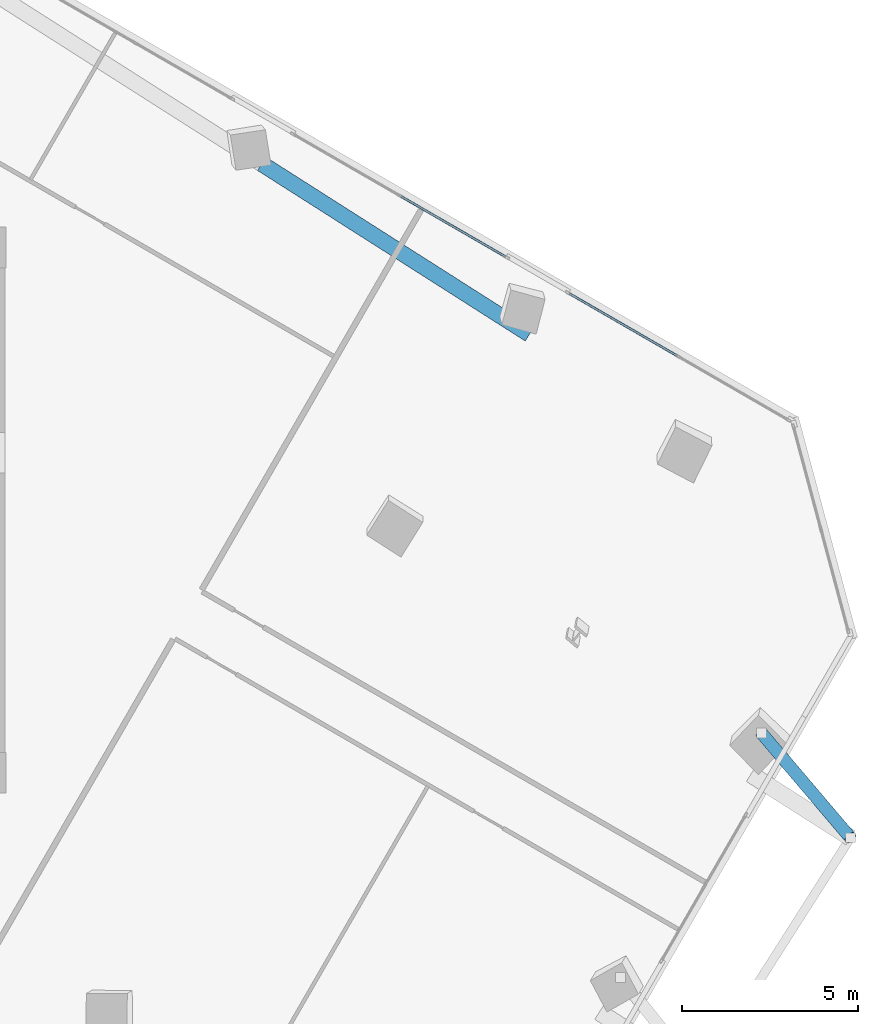
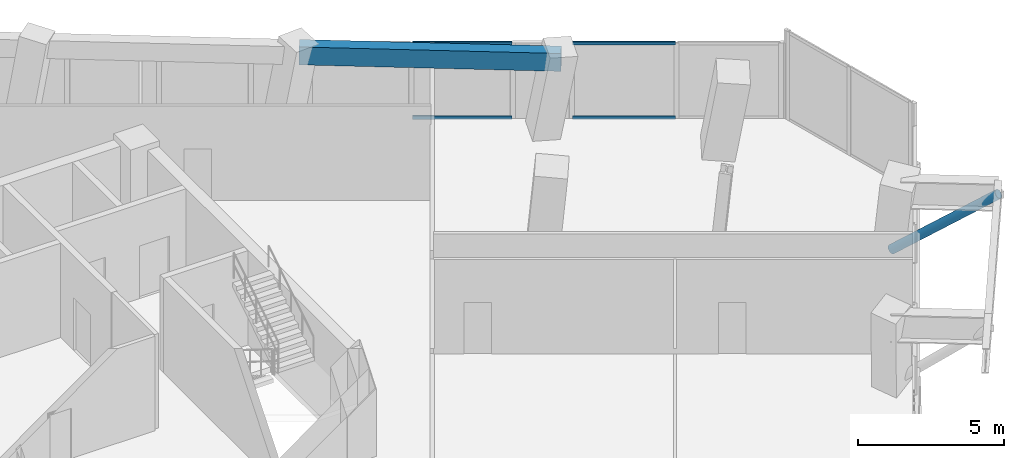
# One storey, part 10 of 22: 5 members, 1 beam, 2 elements without a shape of their own.
"""IFC4 building model written with IfcOpenShell, lengths in metres."""

from ifc_helpers import new_model, si_unit, direction, frame, origin, origin_2d, place, context, subcontext, project, spatial, rectangle, hollow_rectangle, hollow_circle, extrude, source, transform, mapped, material, material_profile, profile_set, type_object, element, aggregate, save


model = new_model("IFC4")

# Units and contexts
model_context = context("Model", 3, precision=1e-05, world=origin(), true_north=direction((0.0, 1.0)))
body_context = subcontext(model_context, "Body", "Model", "MODEL_VIEW")
ifc_project = project(units=[si_unit("LENGTHUNIT", "METRE"), si_unit("AREAUNIT", "SQUARE_METRE"), si_unit("VOLUMEUNIT", "CUBIC_METRE"), si_unit("PLANEANGLEUNIT", "RADIAN"), si_unit("MASSUNIT", "GRAM", prefix="KILO")], contexts=[model_context])

# Site, building, storey
site_placement = place(None, origin())
site = spatial("IfcSite", under=ifc_project, at=site_placement, CompositionType="ELEMENT")
building_placement = place(site_placement, origin())
building = spatial("IfcBuilding", under=site, at=building_placement, Name="Torre Montelarca", CompositionType="ELEMENT")
storey_placement = place(building_placement, frame((0.0, 0.0, 183.39990234375)))
storey = spatial("IfcBuildingStorey", under=building, at=storey_placement, Name="L41", CompositionType="ELEMENT", Elevation=183.39990234375)

# Member
ifc_material_1 = material(Name="Steel ASTM A500 Grade C", Category="steel")
ifc_material_profile_1 = material_profile(ifc_material_1, hollow_circle(Radius=0.177734375, WallThickness=0.015869140625, at=origin_2d()), Name="HSS355.6X15.9", Category="steel")
ifc_profile_set_1 = profile_set([ifc_material_profile_1], Name="Steel ASTM A500 Grade C")
member_type_1 = type_object("IfcMemberType", Name="MB-BR-CHS356-EXT", PredefinedType="BRACE", material=ifc_profile_set_1)
shared_shape_1 = source(origin(), body_context, "Body", "SweptSolid", [
    extrude(hollow_circle(Radius=0.177734375, WallThickness=0.015869140625, at=origin_2d()), origin(), (0.0, 0.0, 1.0), 5.064697265625),
])
member_1_placement = place(storey_placement, frame((48.44970703125, 25.67822265625, 0.150146484375), z_axis=(0.49832520266, -0.586296134644, 0.638693067831), x_axis=(0.761956319957, 0.647628416979, 0.0)))
element("IfcMember", 1, at=member_1_placement, inside=storey, type_object=member_type_1, Name="L42 Sliding Tray Exterior Diagonal Raker Strut E3", PredefinedType="BRACE", context=body_context, shape_type="MappedRepresentation", body=[
    mapped(shared_shape_1, transform((0.0, 0.0, 0.0), scale=1.0)),
])

# Beam
ifc_material_2 = material(Name="Concrete C55/67", Category="concrete")
ifc_material_profile_2 = material_profile(ifc_material_2, rectangle(XDim=0.449951171875, YDim=0.75, at=origin_2d()), Name="RCB450X750", Category="concrete")
ifc_profile_set_2 = profile_set([ifc_material_profile_2], Name="Concrete C55/67")
beam_type = type_object("IfcBeamType", Name="BM-SP-RC750-EXT", PredefinedType="SPANDREL", material=ifc_profile_set_2)
shared_shape_2 = source(origin(), body_context, "Body", "SweptSolid", [
    extrude(rectangle(XDim=0.449951171875, YDim=0.75, at=origin_2d()), origin(), (0.0, 0.0, 1.0), 9.0),
])
beam_placement = place(storey_placement, frame((34.27880859375, 41.822265625, 3.585205078125), z_axis=(0.843393307865, -0.5372966855, 0.0), x_axis=(0.5372966855, 0.843393307865, 0.0)))
element("IfcBeam", 2, at=beam_placement, inside=storey, type_object=beam_type, Name="L41 Grid Girder X 27.0-36.0 at Y=47.1", PredefinedType="SPANDREL", context=body_context, shape_type="MappedRepresentation", body=[
    mapped(shared_shape_2, transform((0.0, 0.0, 0.0), scale=1.0)),
])

# Curtain wall, members
ifc_material_3 = material(Name="Insulated low-E laminated glass", Category="glass")
curtain_wall_type = type_object("IfcCurtainWallType", Name="CW-SYS-Z2", PredefinedType="USERDEFINED", material=ifc_material_3)
curtain_wall_1_placement = place(storey_placement, origin())
curtain_wall_1 = element("IfcCurtainWall", 3, at=curtain_wall_1_placement, inside=storey, type_object=curtain_wall_type, Name="L41 Curtain Wall Run CW-T3-L41-E08-B2", ObjectType="UNITISED GLAZING", PredefinedType="USERDEFINED")
ifc_material_4 = material(Name="Anodised aluminium AA 6063-T6", Category="aluminium")
ifc_material_profile_3 = material_profile(ifc_material_4, hollow_rectangle(XDim=0.06494140625, YDim=0.139892578125, WallThickness=0.00390625, InnerFilletRadius=0.00390625, OuterFilletRadius=0.008056640625, at=origin_2d()), Name="ALU65X140X4", Category="aluminium")
ifc_profile_set_3 = profile_set([ifc_material_profile_3], Name="Anodised aluminium AA 6063-T6")
member_type_2 = type_object("IfcMemberType", Name="CWT-ALU140", PredefinedType="USERDEFINED", material=ifc_profile_set_3)
shared_shape_3 = source(origin(), body_context, "Body", "SweptSolid", [
    extrude(hollow_rectangle(XDim=0.06494140625, YDim=0.139892578125, WallThickness=0.00390625, InnerFilletRadius=0.00390625, OuterFilletRadius=0.008056640625, at=origin_2d()), origin(), (0.0, 0.0, 1.0), 3.422607421875),
])
member_2_placement = place(storey_placement, frame((41.1875, 39.189453125, 0.03271484375), z_axis=(-0.866044232905, 0.499967385589, 0.0), x_axis=(-0.499967385589, -0.866044232905, 0.0)))
member_2 = element("IfcMember", 4, at=member_2_placement, type_object=member_type_2, Name="CW transom 1.1", ObjectType="TRANSOM", PredefinedType="USERDEFINED", context=body_context, shape_type="MappedRepresentation", body=[
    mapped(shared_shape_3, transform((0.0, 0.0, 0.0), scale=1.0)),
])
member_3_placement = place(storey_placement, frame((41.1875, 39.189453125, 3.142578125), z_axis=(-0.866044232905, 0.499967385589, 0.0), x_axis=(-0.499967385589, -0.866044232905, 0.0)))
member_3 = element("IfcMember", 5, at=member_3_placement, type_object=member_type_2, Name="CW transom 1.2", ObjectType="TRANSOM", PredefinedType="USERDEFINED", context=body_context, shape_type="MappedRepresentation", body=[
    mapped(shared_shape_3, transform((0.0, 0.0, 0.0), scale=1.0)),
])
aggregate(curtain_wall_1, [member_2, member_3])

curtain_wall_2_placement = place(storey_placement, origin())
curtain_wall_2 = element("IfcCurtainWall", 6, at=curtain_wall_2_placement, inside=storey, type_object=curtain_wall_type, Name="L41 Curtain Wall Run CW-T3-L41-E08-B1", ObjectType="UNITISED GLAZING", PredefinedType="USERDEFINED")
shared_shape_4 = source(origin(), body_context, "Body", "SweptSolid", [
    extrude(hollow_rectangle(XDim=0.06494140625, YDim=0.139892578125, WallThickness=0.00390625, InnerFilletRadius=0.00390625, OuterFilletRadius=0.008056640625, at=origin_2d()), origin(), (0.0, 0.0, 1.0), 3.52978515625),
])
member_4_placement = place(storey_placement, frame((46.05419921875, 36.379638671875, 0.03271484375), z_axis=(-0.866025485263, 0.499999858875, 0.0), x_axis=(-0.499999858875, -0.866025485263, 0.0)))
member_4 = element("IfcMember", 7, at=member_4_placement, type_object=member_type_2, Name="CW transom 2.1", ObjectType="TRANSOM", PredefinedType="USERDEFINED", context=body_context, shape_type="MappedRepresentation", body=[
    mapped(shared_shape_4, transform((0.0, 0.0, 0.0), scale=1.0)),
])
member_5_placement = place(storey_placement, frame((46.05419921875, 36.379638671875, 3.142578125), z_axis=(-0.866025485263, 0.499999858875, 0.0), x_axis=(-0.499999858875, -0.866025485263, 0.0)))
member_5 = element("IfcMember", 8, at=member_5_placement, type_object=member_type_2, Name="CW transom 2.2", ObjectType="TRANSOM", PredefinedType="USERDEFINED", context=body_context, shape_type="MappedRepresentation", body=[
    mapped(shared_shape_4, transform((0.0, 0.0, 0.0), scale=1.0)),
])
aggregate(curtain_wall_2, [member_4, member_5])

save(model, "model.ifc")
